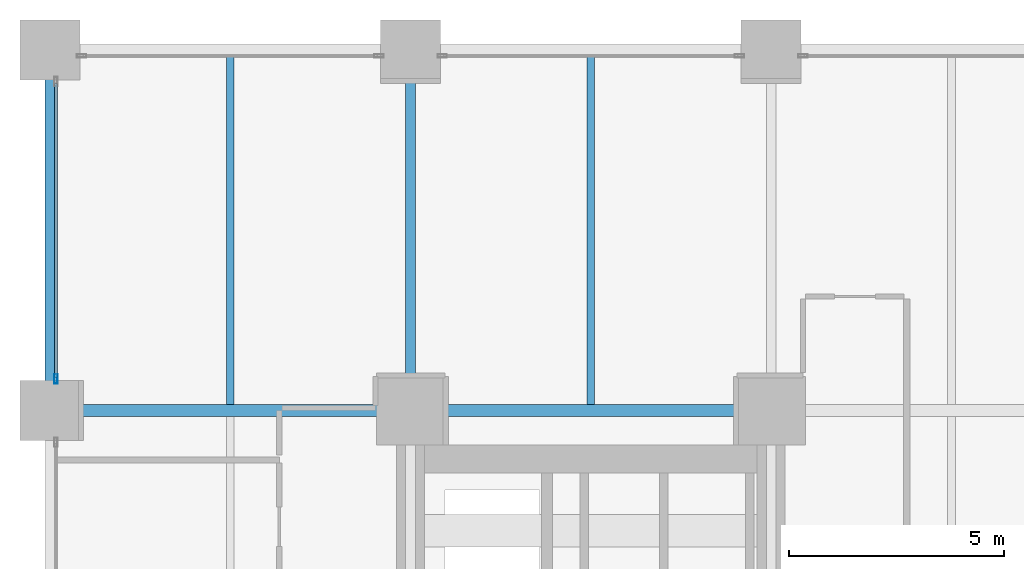
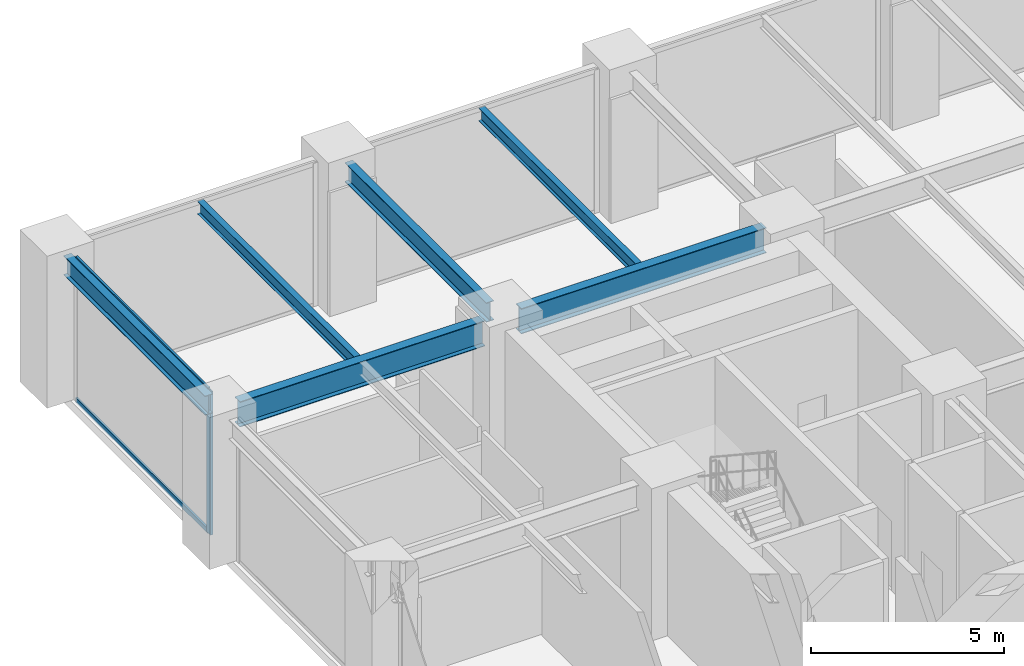
# One storey, part 10 of 23: 6 beams, 3 members, 1 element without a shape of its own.
"""IFC4 building model written with IfcOpenShell, lengths in metres."""

from ifc_helpers import new_model, si_unit, direction, frame, origin, origin_2d, place, context, subcontext, project, spatial, hollow_rectangle, i_section, extrude, material, layer, layer_set, material_profile, profile_set, type_object, element, aggregate, save


model = new_model("IFC4")

# Units and contexts
model_context = context("Model", 3, precision=1e-05, world=origin(), true_north=direction((0.0, 1.0)))
body_context = subcontext(model_context, "Body", "Model", "MODEL_VIEW")
ifc_project = project(units=[si_unit("LENGTHUNIT", "METRE"), si_unit("AREAUNIT", "SQUARE_METRE"), si_unit("VOLUMEUNIT", "CUBIC_METRE"), si_unit("PLANEANGLEUNIT", "RADIAN"), si_unit("MASSUNIT", "GRAM", prefix="KILO")], contexts=[model_context])

# Site, building, storey
site_placement = place(None, origin())
site = spatial("IfcSite", under=ifc_project, at=site_placement, CompositionType="ELEMENT")
building_placement = place(site_placement, origin())
building = spatial("IfcBuilding", under=site, at=building_placement, Name="Nerrivon Quay Data Exchange", CompositionType="ELEMENT")
storey_placement = place(building_placement, frame((0.0, 0.0, 5.39990234375)))
storey = spatial("IfcBuildingStorey", under=building, at=storey_placement, Name="L01", CompositionType="ELEMENT", Elevation=5.39990234375)

# Beams
ifc_material_1 = material(Name="Steel Grade 350", Category="steel")
ifc_material_profile_1 = material_profile(ifc_material_1, i_section(OverallWidth=0.22900390625, OverallDepth=0.612060546875, WebThickness=0.011962890625, FlangeThickness=0.01953125, FilletRadius=0.013916015625, at=origin_2d()), Name="610UB125")
ifc_profile_set_1 = profile_set([ifc_material_profile_1], Name="Steel Grade 350")
beam_type_1 = type_object("IfcBeamType", Name="BM-G1-610UB125", PredefinedType="BEAM", material=ifc_profile_set_1)
for number, where, z_axis, x_axis, name in (
    (1, (0.0, 42.5400390625, 4.218994140625), (0.0, 1.0, 0.0), (-1.0, 0.0, 0.0), "L01 NS Girder X=0.0 (42.0..50.4)"),
    (2, (8.39990234375, 42.5400390625, 4.218994140625), (0.0, 1.0, 0.0), (-1.0, 0.0, 0.0), "L01 NS Girder X=8.4 (42.0..50.4)"),
):
    element("IfcBeam", number, at=place(storey_placement, frame(where, z_axis=z_axis, x_axis=x_axis)), inside=storey, type_object=beam_type_1, Name=name, PredefinedType="BEAM", context=body_context, shape_type="SweptSolid", body=[
        extrude(i_section(OverallWidth=0.22900390625, OverallDepth=0.612060546875, WebThickness=0.011962890625, FlangeThickness=0.01953125, FilletRadius=0.013916015625, at=origin_2d()), origin(), (0.0, 0.0, 1.0), 7.320068359375),
    ])
ifc_material_profile_2 = material_profile(ifc_material_1, i_section(OverallWidth=0.27490234375, OverallDepth=0.800048828125, WebThickness=0.010009765625, FlangeThickness=0.02001953125, at=origin_2d()), Name="800WB146")
ifc_profile_set_2 = profile_set([ifc_material_profile_2], Name="Steel Grade 350")
beam_type_2 = type_object("IfcBeamType", Name="BM-G8-800WB146", PredefinedType="BEAM", material=ifc_profile_set_2)
for number, where, z_axis, x_axis, name in (
    (3, (0.5400390625, 42.0, 4.125), (1.0, 0.0, 0.0), (0.0, 1.0, 0.0), "L01 EW Girder Y=42.0 (0.0..8.4)"),
    (4, (8.93994140625, 42.0, 4.125), (1.0, 0.0, 0.0), (0.0, 1.0, 0.0), "L01 EW Girder Y=42.0 (8.4..16.8)"),
):
    element("IfcBeam", number, at=place(storey_placement, frame(where, z_axis=z_axis, x_axis=x_axis)), inside=storey, type_object=beam_type_2, Name=name, PredefinedType="BEAM", context=body_context, shape_type="SweptSolid", body=[
        extrude(i_section(OverallWidth=0.27490234375, OverallDepth=0.800048828125, WebThickness=0.010009765625, FlangeThickness=0.02001953125, at=origin_2d()), origin(), (0.0, 0.0, 1.0), 7.320068359375),
    ])
ifc_material_profile_3 = material_profile(ifc_material_1, i_section(OverallWidth=0.177978515625, OverallDepth=0.403076171875, WebThickness=0.007568359375, FlangeThickness=0.010986328125, FilletRadius=0.011474609375, at=origin_2d()), Name="410UB53.7")
ifc_profile_set_3 = profile_set([ifc_material_profile_3], Name="Steel Grade 350")
beam_type_3 = type_object("IfcBeamType", Name="BM-J2-410UB54", PredefinedType="JOIST", material=ifc_profile_set_3)
for number, where, z_axis, x_axis, name in (
    (5, (4.199951171875, 42.137451171875, 4.323486328125), (0.0, 1.0, 0.0), (-1.0, 0.0, 0.0), "L01 Secondary Joist X=4.2 (42.0..50.4)"),
    (6, (12.60009765625, 42.137451171875, 4.323486328125), (0.0, 1.0, 0.0), (-1.0, 0.0, 0.0), "L01 Secondary Joist X=12.6 (42.0..50.4)"),
):
    element("IfcBeam", number, at=place(storey_placement, frame(where, z_axis=z_axis, x_axis=x_axis)), inside=storey, type_object=beam_type_3, Name=name, PredefinedType="JOIST", context=body_context, shape_type="SweptSolid", body=[
        extrude(i_section(OverallWidth=0.177978515625, OverallDepth=0.403076171875, WebThickness=0.007568359375, FlangeThickness=0.010986328125, FilletRadius=0.011474609375, at=origin_2d()), origin(), (0.0, 0.0, 1.0), 8.125),
    ])

# Curtain wall, members
ifc_material_2 = material(Name="Anodised aluminium 6063-T6", Category="aluminium")
ifc_layer = layer(ifc_material_2, 0.239990234375)
ifc_layer_set = layer_set([ifc_layer], Name="Anodised aluminium 6063-T6")
curtain_wall_type = type_object("IfcCurtainWallType", Name="CW-SYS-03", PredefinedType="NOTDEFINED", material=ifc_layer_set)
curtain_wall_placement = place(storey_placement, origin())
curtain_wall = element("IfcCurtainWall", 7, at=curtain_wall_placement, inside=storey, type_object=curtain_wall_type, Name="L01 Unitised Curtain Wall 6", PredefinedType="NOTDEFINED")
ifc_material_profile_4 = material_profile(ifc_material_2, hollow_rectangle(XDim=0.074951171875, YDim=0.219970703125, WallThickness=0.00390625, at=origin_2d()), Name="ALU-MULL-220x75")
ifc_profile_set_4 = profile_set([ifc_material_profile_4], Name="Anodised aluminium 6063-T6")
member_type_1 = type_object("IfcMemberType", Name="CWM-220x75", PredefinedType="MULLION", material=ifc_profile_set_4)
member_1_placement = place(storey_placement, frame((0.139892578125, 42.737548828125, 0.0), z_axis=(0.0, 0.0, 1.0), x_axis=(-1.0, 0.0, 0.0)))
member_1 = element("IfcMember", 8, at=member_1_placement, type_object=member_type_1, Name="CW03 mullion 1", PredefinedType="MULLION", context=body_context, shape_type="SweptSolid", body=[
    extrude(hollow_rectangle(XDim=0.074951171875, YDim=0.219970703125, WallThickness=0.00390625, at=origin_2d()), origin(), (0.0, 0.0, 1.0), 4.525146484375),
])
ifc_material_profile_5 = material_profile(ifc_material_2, hollow_rectangle(XDim=0.06494140625, YDim=0.14990234375, WallThickness=0.00341796875, at=origin_2d()), Name="ALU-TRAN-150x65")
ifc_profile_set_5 = profile_set([ifc_material_profile_5], Name="Anodised aluminium 6063-T6")
member_type_2 = type_object("IfcMemberType", Name="CWT-150x65", PredefinedType="USERDEFINED", material=ifc_profile_set_5)
member_2_placement = place(storey_placement, frame((0.139892578125, 42.77490234375, 0.03271484375), z_axis=(0.0, 1.0, 0.0), x_axis=(-1.0, 0.0, 0.0)))
member_2 = element("IfcMember", 9, at=member_2_placement, type_object=member_type_2, Name="CW03 transom 1.1", ObjectType="TRANSOM", PredefinedType="USERDEFINED", context=body_context, shape_type="SweptSolid", body=[
    extrude(hollow_rectangle(XDim=0.06494140625, YDim=0.14990234375, WallThickness=0.00341796875, at=origin_2d()), origin(), (0.0, 0.0, 1.0), 6.85009765625),
])
member_3_placement = place(storey_placement, frame((0.139892578125, 42.77490234375, 4.49267578125), z_axis=(0.0, 1.0, 0.0), x_axis=(-1.0, 0.0, 0.0)))
member_3 = element("IfcMember", 10, at=member_3_placement, type_object=member_type_2, Name="CW03 transom 1.2", ObjectType="TRANSOM", PredefinedType="USERDEFINED", context=body_context, shape_type="SweptSolid", body=[
    extrude(hollow_rectangle(XDim=0.06494140625, YDim=0.14990234375, WallThickness=0.00341796875, at=origin_2d()), origin(), (0.0, 0.0, 1.0), 6.85009765625),
])
aggregate(curtain_wall, [member_1, member_2, member_3])

save(model, "model.ifc")
